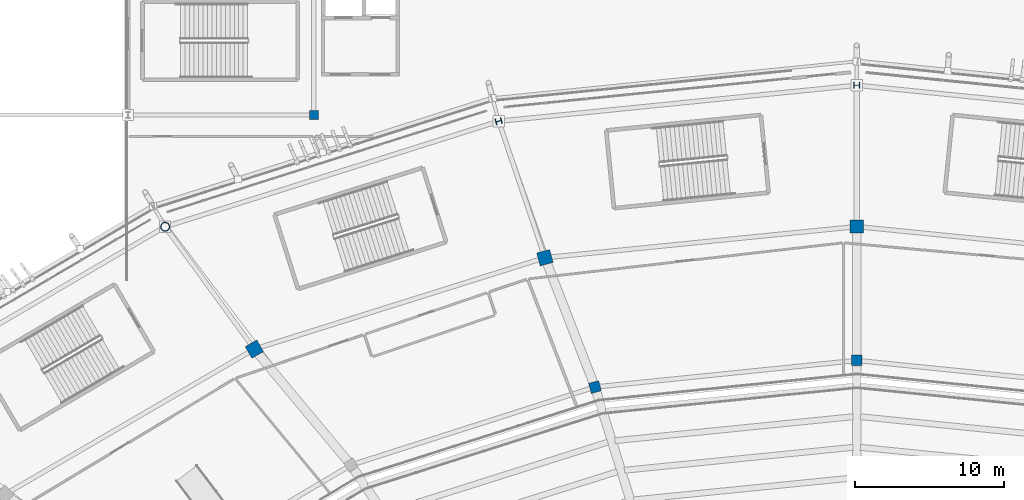
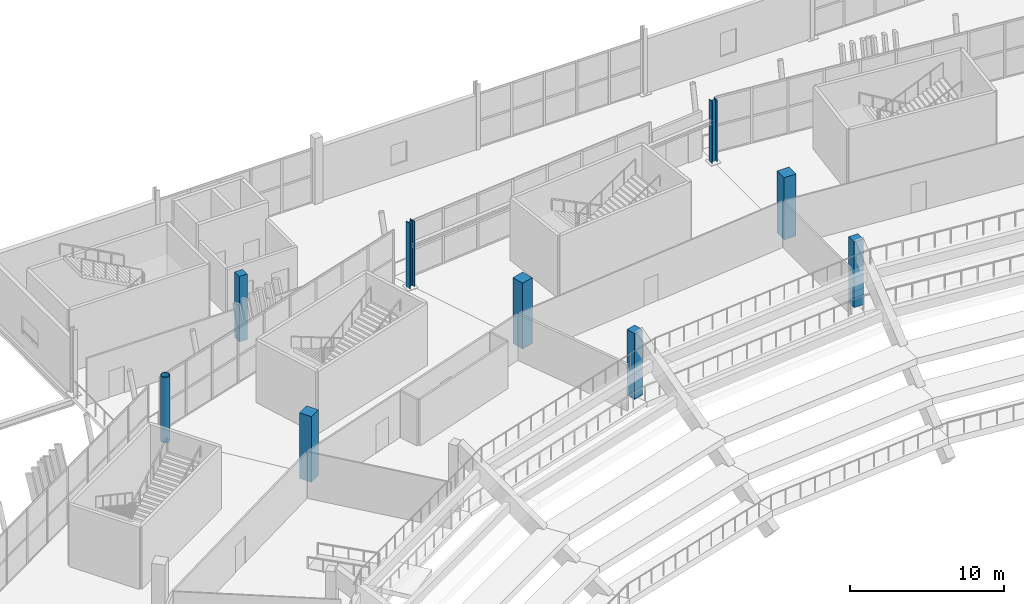
# One storey, part 18 of 178: 9 columns.
"""IFC4 building model written with IfcOpenShell, lengths in metres."""

from ifc_helpers import new_model, si_unit, direction, frame, origin, origin_2d, place, context, subcontext, project, spatial, rectangle, hollow_circle, i_section, extrude, material, material_profile, profile_set, type_object, element, save


model = new_model("IFC4")

# Units and contexts
model_context = context("Model", 3, precision=1e-05, world=origin(), true_north=direction((0.0, 1.0)))
body_context = subcontext(model_context, "Body", "Model", "MODEL_VIEW")
ifc_project = project(units=[si_unit("LENGTHUNIT", "METRE"), si_unit("AREAUNIT", "SQUARE_METRE"), si_unit("VOLUMEUNIT", "CUBIC_METRE"), si_unit("PLANEANGLEUNIT", "RADIAN"), si_unit("MASSUNIT", "GRAM", prefix="KILO")], contexts=[model_context])

# Site, building, storey
site_placement = place(None, origin())
site = spatial("IfcSite", under=ifc_project, at=site_placement, CompositionType="ELEMENT")
building_placement = place(site_placement, origin())
building = spatial("IfcBuilding", under=site, at=building_placement, Name="Zlatoyarsky Gate Stadium", CompositionType="ELEMENT")
storey_placement = place(building_placement, frame((0.0, 0.0, 5.39990234375)))
storey = spatial("IfcBuildingStorey", under=building, at=storey_placement, Name="L01", CompositionType="ELEMENT", Elevation=5.39990234375)

# Columns
ifc_material_1 = material(Name="Concrete C40/50", Category="concrete")
ifc_material_profile_1 = material_profile(ifc_material_1, rectangle(XDim=0.60009765625, YDim=0.60009765625, at=origin_2d()), Name="RC COL 600X600")
ifc_profile_set_1 = profile_set([ifc_material_profile_1], Name="Concrete C40/50")
column_type_1 = type_object("IfcColumnType", Name="CONCRETE COLUMN 600X600", PredefinedType="COLUMN", material=ifc_profile_set_1)
column_1_placement = place(storey_placement, frame((74.5, 149.0, 0.0), z_axis=(0.0, 0.0, 1.0), x_axis=(1.0, 0.0, 0.0)))
element("IfcColumn", 1, at=column_1_placement, inside=storey, type_object=column_type_1, Name="Column RC-C60 WG-7-P on L01", PredefinedType="COLUMN", context=body_context, shape_type="SweptSolid", body=[
    extrude(rectangle(XDim=0.60009765625, YDim=0.60009765625, at=origin_2d()), origin(), (0.0, 0.0, 1.0), 5.2001953125),
])
ifc_material_profile_2 = material_profile(ifc_material_1, rectangle(XDim=0.699951171875, YDim=0.699951171875, at=origin_2d()), Name="RC COL 700X700")
ifc_profile_set_2 = profile_set([ifc_material_profile_2], Name="Concrete C40/50")
column_type_2 = type_object("IfcColumnType", Name="CONCRETE COLUMN 700X700", PredefinedType="COLUMN", material=ifc_profile_set_2)
for number, where, z_axis, x_axis, name in (
    (2, (111.0, 132.5, 0.0), (0.0, 0.0, 1.0), (0.0, 1.0, 0.0), "Column RC-C70 RA-06 on L01"),
    (3, (93.400390625, 130.711181640625, 0.0), (0.0, 0.0, 1.0), (-0.258819045103, 0.965925826289, 0.0), "Column RC-C70 RA-07 on L01"),
):
    element("IfcColumn", number, at=place(storey_placement, frame(where, z_axis=z_axis, x_axis=x_axis)), inside=storey, type_object=column_type_2, Name=name, PredefinedType="COLUMN", context=body_context, shape_type="SweptSolid", body=[
        extrude(rectangle(XDim=0.699951171875, YDim=0.699951171875, at=origin_2d()), origin(), (0.0, 0.0, 1.0), 5.2001953125),
    ])
ifc_material_profile_3 = material_profile(ifc_material_1, rectangle(XDim=0.89990234375, YDim=0.89990234375, at=origin_2d()), Name="RC COL 900X900")
ifc_profile_set_3 = profile_set([ifc_material_profile_3], Name="Concrete C40/50")
column_type_3 = type_object("IfcColumnType", Name="CONCRETE COLUMN 900X900", PredefinedType="COLUMN", material=ifc_profile_set_3)
column_2_placement = place(storey_placement, frame((111.0, 141.5, 0.0), z_axis=(0.0, 0.0, 1.0), x_axis=(0.0, 1.0, 0.0)))
element("IfcColumn", 4, at=column_2_placement, inside=storey, type_object=column_type_3, Name="Column RC-C90 RB-06 on L01", PredefinedType="COLUMN", context=body_context, shape_type="SweptSolid", body=[
    extrude(rectangle(XDim=0.89990234375, YDim=0.89990234375, at=origin_2d()), origin(), (0.0, 0.0, 1.0), 4.920166015625),
])
for number, where, z_axis, x_axis, name in (
    (5, (90.03564453125, 139.404296875, 0.0), (0.0, 0.0, 1.0), (-0.258819045103, 0.965925826289, 0.0), "Column RC-C90 RB-07 on L01"),
    (6, (70.5, 133.260498046875, 0.0), (0.0, 0.0, 1.0), (-0.5, 0.866025403784, 0.0), "Column RC-C90 RB-08 on L01"),
):
    element("IfcColumn", number, at=place(storey_placement, frame(where, z_axis=z_axis, x_axis=x_axis)), inside=storey, type_object=column_type_3, Name=name, PredefinedType="COLUMN", context=body_context, shape_type="SweptSolid", body=[
        extrude(rectangle(XDim=0.89990234375, YDim=0.89990234375, at=origin_2d()), origin(), (0.0, 0.0, 1.0), 5.2001953125),
    ])
ifc_material_2 = material(Name="Steel S355", Category="steel")
ifc_material_profile_4 = material_profile(ifc_material_2, i_section(OverallWidth=0.406005859375, OverallDepth=0.416015625, WebThickness=0.02392578125, FlangeThickness=0.0390625, FilletRadius=0.014892578125, at=origin_2d()), Name="HD 400X382")
ifc_profile_set_4 = profile_set([ifc_material_profile_4], Name="Steel S355")
column_type_4 = type_object("IfcColumnType", Name="STEEL PORTAL PILASTER HD 400X382", PredefinedType="PILASTER", material=ifc_profile_set_4)
column_3_placement = place(storey_placement, frame((111.0, 151.0, 0.0), z_axis=(0.0, 0.0, 1.0), x_axis=(0.0, 1.0, 0.0)))
element("IfcColumn", 7, at=column_3_placement, inside=storey, type_object=column_type_4, Name="Column ST-CHD RC-06 on L01", PredefinedType="PILASTER", context=body_context, shape_type="SweptSolid", body=[
    extrude(i_section(OverallWidth=0.406005859375, OverallDepth=0.416015625, WebThickness=0.02392578125, FlangeThickness=0.0390625, FilletRadius=0.014892578125, at=origin_2d()), origin(), (0.0, 0.0, 1.0), 4.920166015625),
])
column_4_placement = place(storey_placement, frame((86.9296875, 148.580810546875, 0.0), z_axis=(0.0, 0.0, 1.0), x_axis=(-0.258819045103, 0.965925826289, 0.0)))
element("IfcColumn", 8, at=column_4_placement, inside=storey, type_object=column_type_4, Name="Column ST-CHD RC-07 on L01", PredefinedType="PILASTER", context=body_context, shape_type="SweptSolid", body=[
    extrude(i_section(OverallWidth=0.406005859375, OverallDepth=0.416015625, WebThickness=0.02392578125, FlangeThickness=0.0390625, FilletRadius=0.014892578125, at=origin_2d()), origin(), (0.0, 0.0, 1.0), 5.2001953125),
])
ifc_material_profile_5 = material_profile(ifc_material_2, hollow_circle(Radius=0.304931640625, WallThickness=0.030029296875, at=origin_2d()), Name="CHS 610X30")
ifc_profile_set_5 = profile_set([ifc_material_profile_5], Name="Steel S355")
column_type_5 = type_object("IfcColumnType", Name="STEEL TUBULAR COLUMN CHS 610X30", PredefinedType="COLUMN", material=ifc_profile_set_5)
column_5_placement = place(storey_placement, frame((64.5, 141.48779296875, 0.0), z_axis=(0.0, 0.0, 1.0), x_axis=(-0.5, 0.866025403784, 0.0)))
element("IfcColumn", 9, at=column_5_placement, inside=storey, type_object=column_type_5, Name="Column ST-C610 RC-08 on L01", PredefinedType="COLUMN", context=body_context, shape_type="SweptSolid", body=[
    extrude(hollow_circle(Radius=0.304931640625, WallThickness=0.030029296875, at=origin_2d()), origin(), (0.0, 0.0, 1.0), 5.2001953125),
])

save(model, "model.ifc")
